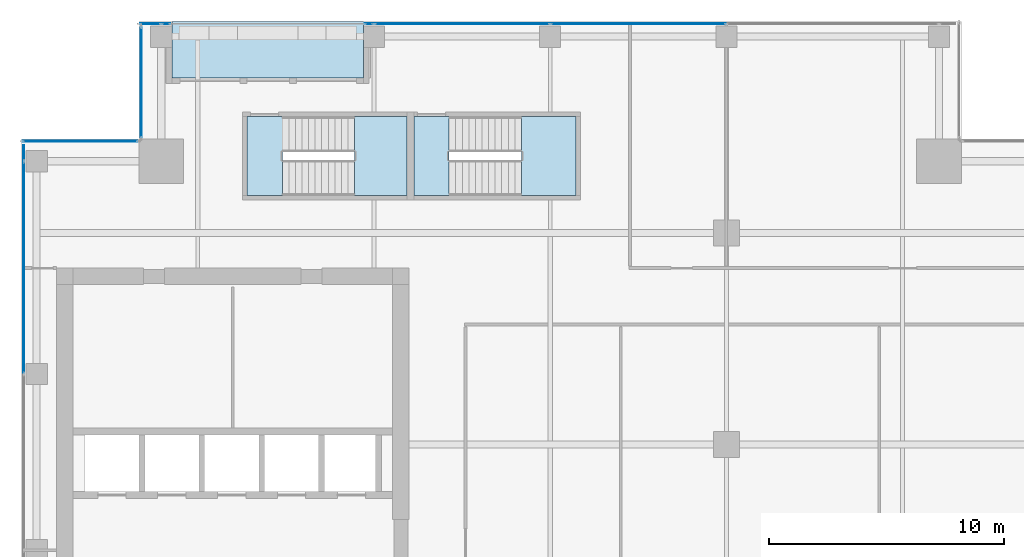
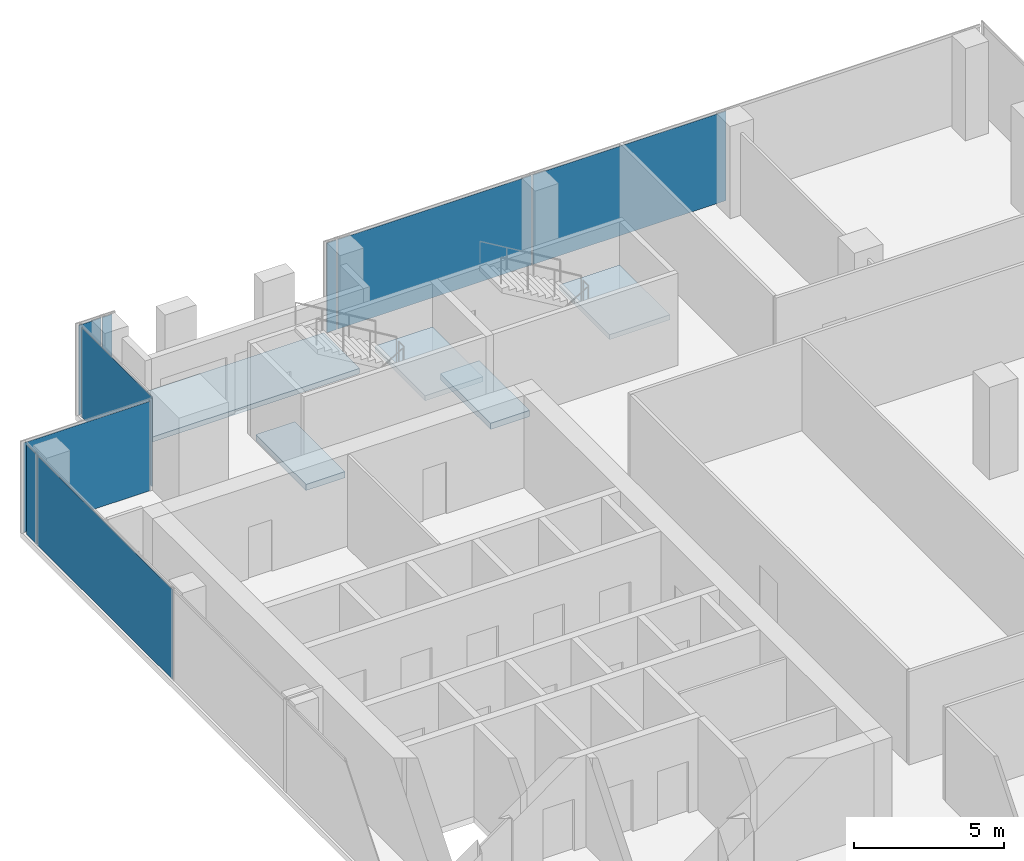
# One storey, part 29 of 36: 9 plates, 5 slabs, 7 elements without a shape of their own.
"""IFC4 building model written with IfcOpenShell, lengths in metres."""

from ifc_helpers import new_model, si_unit, direction, frame, origin, origin_2d, place, context, subcontext, project, spatial, polyline, rectangle, outline, extrude, source, transform, mapped, material, layer, layer_set, type_object, element, aggregate, save


model = new_model("IFC4")

# Units and contexts
model_context = context("Model", 3, precision=1e-05, world=origin(), true_north=direction((0.0, 1.0)))
body_context = subcontext(model_context, "Body", "Model", "MODEL_VIEW")
ifc_project = project(units=[si_unit("LENGTHUNIT", "METRE"), si_unit("AREAUNIT", "SQUARE_METRE"), si_unit("VOLUMEUNIT", "CUBIC_METRE"), si_unit("PLANEANGLEUNIT", "RADIAN"), si_unit("MASSUNIT", "GRAM", prefix="KILO")], contexts=[model_context])

# Site, building, storey
site_placement = place(None, origin())
site = spatial("IfcSite", under=ifc_project, at=site_placement, CompositionType="ELEMENT")
building_placement = place(site_placement, origin())
building = spatial("IfcBuilding", under=site, at=building_placement, Name="Khomas Fold Tower", CompositionType="ELEMENT")
storey_placement = place(building_placement, frame((0.0, 0.0, 226.199951171875)))
storey = spatial("IfcBuildingStorey", under=building, at=storey_placement, Name="L50", CompositionType="ELEMENT", Elevation=226.199951171875)

# Curtain wall, plate
ifc_material_1 = material(Name="Aluminium framed double glazing", Category="aluminium")
curtain_wall_type = type_object("IfcCurtainWallType", Name="SK-Unitised clear-glass wall, office floors CW2", PredefinedType="NOTDEFINED", material=ifc_material_1)
curtain_wall_1_placement = place(storey_placement, origin())
curtain_wall_1 = element("IfcCurtainWall", 1, at=curtain_wall_1_placement, inside=storey, type_object=curtain_wall_type, Name="CW2 run L50 09-0", PredefinedType="NOTDEFINED")
ifc_material_2 = material(Name="Clear double glazed unit")
ifc_layer_1 = layer(ifc_material_2, 0.030029296875)
ifc_layer_set_1 = layer_set([ifc_layer_1], Name="Clear double glazed unit")
plate_type = type_object("IfcPlateType", Name="SK-Unitised clear-glass wall, office floors glass panel CW2-P", PredefinedType="CURTAIN_PANEL", material=ifc_layer_set_1)
shared_shape_1 = source(origin(), body_context, "Body", "SweptSolid", [
    extrude(rectangle(XDim=0.659912109375, YDim=0.030029296875, at=origin_2d()), origin(), (0.0, 0.0, 1.0), 3.639892578125),
])
plate_1_placement = place(storey_placement, frame((4.60009765625, 43.909912109375, 0.0), z_axis=(0.0, 0.0, 1.0), x_axis=(0.0, -1.0, 0.0)))
plate_1 = element("IfcPlate", 2, at=plate_1_placement, type_object=plate_type, Name="CW2 glass panel 1", PredefinedType="CURTAIN_PANEL", context=body_context, shape_type="MappedRepresentation", body=[
    mapped(shared_shape_1, transform((0.0, 0.0, 0.0))),
])

# Curtain wall, plates
curtain_wall_2_placement = place(storey_placement, origin())
curtain_wall_2 = element("IfcCurtainWall", 3, at=curtain_wall_2_placement, inside=storey, type_object=curtain_wall_type, Name="CW2 run L50 06-0", PredefinedType="NOTDEFINED")
shared_shape_2 = source(origin(), body_context, "Body", "SweptSolid", [
    extrude(rectangle(XDim=7.43994140625, YDim=0.030029296875, at=origin_2d()), origin(), (0.0, 0.0, 1.0), 3.639892578125),
])
plate_2_placement = place(storey_placement, frame((30.75, 49.39990234375, 0.0), z_axis=(0.0, 0.0, 1.0), x_axis=(-1.0, 0.0, 0.0)))
plate_2 = element("IfcPlate", 4, at=plate_2_placement, type_object=plate_type, Name="CW2 glass panel 3", PredefinedType="CURTAIN_PANEL", context=body_context, shape_type="MappedRepresentation", body=[
    mapped(shared_shape_2, transform((0.0, 0.0, 0.0))),
])
plate_3_placement = place(storey_placement, frame((23.25, 49.39990234375, 0.0), z_axis=(0.0, 0.0, 1.0), x_axis=(-1.0, 0.0, 0.0)))
plate_3 = element("IfcPlate", 5, at=plate_3_placement, type_object=plate_type, Name="CW2 glass panel 4", PredefinedType="CURTAIN_PANEL", context=body_context, shape_type="MappedRepresentation", body=[
    mapped(shared_shape_2, transform((0.0, 0.0, 0.0))),
])

# Curtain wall, plate
curtain_wall_3_placement = place(storey_placement, origin())
curtain_wall_3 = element("IfcCurtainWall", 6, at=curtain_wall_3_placement, inside=storey, type_object=curtain_wall_type, Name="CW2 run L50 06-1", PredefinedType="NOTDEFINED")
shared_shape_3 = source(origin(), body_context, "Body", "SweptSolid", [
    extrude(rectangle(XDim=0.860107421875, YDim=0.030029296875, at=origin_2d()), origin(), (0.0, 0.0, 1.0), 3.639892578125),
])
plate_4_placement = place(storey_placement, frame((9.989990234375, 49.39990234375, 0.0), z_axis=(0.0, 0.0, 1.0), x_axis=(-1.0, 0.0, 0.0)))
plate_4 = element("IfcPlate", 7, at=plate_4_placement, type_object=plate_type, Name="CW2 glass panel 2", PredefinedType="CURTAIN_PANEL", context=body_context, shape_type="MappedRepresentation", body=[
    mapped(shared_shape_3, transform((0.0, 0.0, 0.0))),
])

# Plate
shared_shape_4 = source(origin(), body_context, "Body", "SweptSolid", [
    extrude(rectangle(XDim=8.989990234375, YDim=0.030029296875, at=origin_2d()), origin(), (0.0, 0.0, 1.0), 3.639892578125),
])
plate_5_placement = place(storey_placement, frame((4.60009765625, 39.02490234375, 0.0), z_axis=(0.0, 0.0, 1.0), x_axis=(0.0, -1.0, 0.0)))
plate_5 = element("IfcPlate", 8, at=plate_5_placement, type_object=plate_type, Name="CW2 glass panel 2", PredefinedType="CURTAIN_PANEL", context=body_context, shape_type="MappedRepresentation", body=[
    mapped(shared_shape_4, transform((0.0, 0.0, 0.0))),
])

aggregate(curtain_wall_1, [plate_1, plate_5])

# Curtain wall, plate
curtain_wall_4_placement = place(storey_placement, origin())
curtain_wall_4 = element("IfcCurtainWall", 9, at=curtain_wall_4_placement, inside=storey, type_object=curtain_wall_type, Name="CW2 corner return L50 07", PredefinedType="NOTDEFINED")
shared_shape_5 = source(origin(), body_context, "Body", "SweptSolid", [
    extrude(rectangle(XDim=4.679931640625, YDim=0.030029296875, at=origin_2d()), origin(), (0.0, 0.0, 1.0), 3.639892578125),
])
plate_6_placement = place(storey_placement, frame((9.60009765625, 46.89990234375, 0.0), z_axis=(0.0, 0.0, 1.0), x_axis=(0.0, -1.0, 0.0)))
plate_6 = element("IfcPlate", 10, at=plate_6_placement, type_object=plate_type, Name="CW2 glass panel 1", PredefinedType="CURTAIN_PANEL", context=body_context, shape_type="MappedRepresentation", body=[
    mapped(shared_shape_5, transform((0.0, 0.0, 0.0))),
])
aggregate(curtain_wall_4, [plate_6])

curtain_wall_5_placement = place(storey_placement, origin())
curtain_wall_5 = element("IfcCurtainWall", 11, at=curtain_wall_5_placement, inside=storey, type_object=curtain_wall_type, Name="CW2 corner return L50 08", PredefinedType="NOTDEFINED")
shared_shape_6 = source(origin(), body_context, "Body", "SweptSolid", [
    extrude(rectangle(XDim=4.8798828125, YDim=0.030029296875, at=origin_2d()), origin(), (0.0, 0.0, 1.0), 3.639892578125),
])
plate_7_placement = place(storey_placement, frame((7.0, 44.39990234375, 0.0), z_axis=(0.0, 0.0, 1.0), x_axis=(-1.0, 0.0, 0.0)))
plate_7 = element("IfcPlate", 12, at=plate_7_placement, type_object=plate_type, Name="CW2 glass panel 1", PredefinedType="CURTAIN_PANEL", context=body_context, shape_type="MappedRepresentation", body=[
    mapped(shared_shape_6, transform((0.0, 0.0, 0.0))),
])
aggregate(curtain_wall_5, [plate_7])

# Plate
shared_shape_7 = source(origin(), body_context, "Body", "SweptSolid", [
    extrude(rectangle(XDim=0.360107421875, YDim=0.030029296875, at=origin_2d()), origin(), (0.0, 0.0, 1.0), 3.639892578125),
])
plate_8_placement = place(storey_placement, frame((19.2900390625, 49.39990234375, 0.0), z_axis=(0.0, 0.0, 1.0), x_axis=(-1.0, 0.0, 0.0)))
plate_8 = element("IfcPlate", 13, at=plate_8_placement, type_object=plate_type, Name="CW2 glass panel 5", PredefinedType="CURTAIN_PANEL", context=body_context, shape_type="MappedRepresentation", body=[
    mapped(shared_shape_7, transform((0.0, 0.0, 0.0))),
])

aggregate(curtain_wall_2, [plate_2, plate_3, plate_8])

plate_9_placement = place(storey_placement, frame((10.659912109375, 49.39990234375, 0.0), z_axis=(0.0, 0.0, 1.0), x_axis=(-1.0, 0.0, 0.0)))
plate_9 = element("IfcPlate", 14, at=plate_9_placement, type_object=plate_type, Name="CW2 glass panel 1", PredefinedType="CURTAIN_PANEL", context=body_context, shape_type="MappedRepresentation", body=[
    mapped(shared_shape_7, transform((0.0, 0.0, 0.0))),
])

aggregate(curtain_wall_3, [plate_9, plate_4])

# Slab
ifc_material_3 = material(Name="Concrete C40/50", Category="concrete")
ifc_layer_2 = layer(ifc_material_3, 0.205078125)
ifc_layer_set_2 = layer_set([ifc_layer_2], Name="Concrete C40/50")
slab_type_1 = type_object("IfcSlabType", Name="BL-Balcony deck 205", PredefinedType="FLOOR", material=ifc_layer_set_2)
shared_shape_8 = source(origin(), body_context, "Body", "SweptSolid", [
    extrude(outline(polyline([(10.89990234375, 47.10009765625), (19.050048828125, 47.10009765625), (19.050048828125, 49.5), (10.89990234375, 49.5), (10.89990234375, 47.10009765625)])), origin(), (0.0, 0.0, 1.0), 0.205078125),
])
slab_1_placement = place(storey_placement, frame((0.0, 0.0, -0.25)))
element("IfcSlab", 15, at=slab_1_placement, inside=storey, type_object=slab_type_1, Name="Balcony deck BAL-L50-N1", PredefinedType="FLOOR", context=body_context, shape_type="MappedRepresentation", body=[
    mapped(shared_shape_8, transform((0.0, 0.0, 0.0))),
])

# Stair, slab
ifc_material_4 = material(Name="Concrete C40/50", Category="concrete")
stair_type_1 = type_object("IfcStairType", Name="Stair ST1", PredefinedType="HALF_TURN_STAIR", material=ifc_material_4)
stair_1_placement = place(storey_placement, origin())
stair_1 = element("IfcStair", 16, at=stair_1_placement, inside=storey, type_object=stair_type_1, Name="L50 ST1", PredefinedType="HALF_TURN_STAIR")
ifc_material_5 = material(Name="Concrete C40/50", Category="concrete")
ifc_layer_3 = layer(ifc_material_5, 0.199951171875)
ifc_layer_set_3 = layer_set([ifc_layer_3], Name="Concrete C40/50")
slab_type_2 = type_object("IfcSlabType", Name="Stair landing 200", PredefinedType="LANDING", material=ifc_layer_set_3)
shared_shape_9 = source(origin(), body_context, "Body", "SweptSolid", [
    extrude(outline(polyline([(18.679931640625, 42.10009765625), (20.89990234375, 42.10009765625), (20.89990234375, 45.449951171875), (18.679931640625, 45.449951171875), (18.679931640625, 42.10009765625)])), origin(), (0.0, 0.0, 1.0), 0.199951171875),
])
slab_2_placement = place(storey_placement, frame((0.0, 0.0, 1.800048828125)))
slab_2 = element("IfcSlab", 17, at=slab_2_placement, type_object=slab_type_2, Name="ST1 landing 1", PredefinedType="LANDING", context=body_context, shape_type="MappedRepresentation", body=[
    mapped(shared_shape_9, transform((0.0, 0.0, 0.0))),
])
aggregate(stair_1, [slab_2])

# Slab
ifc_material_6 = material(Name="Concrete C40/50", Category="concrete")
ifc_layer_4 = layer(ifc_material_6, 0.25)
ifc_layer_set_4 = layer_set([ifc_layer_4], Name="Concrete C40/50")
slab_type_3 = type_object("IfcSlabType", Name="Stair floor landing 250", PredefinedType="LANDING", material=ifc_layer_set_4)
shared_shape_10 = source(origin(), body_context, "Body", "SweptSolid", [
    extrude(outline(polyline([(15.60009765625, 42.10009765625), (14.10009765625, 42.10009765625), (14.10009765625, 45.449951171875), (15.60009765625, 45.449951171875), (15.60009765625, 42.10009765625)])), origin(), (0.0, 0.0, 1.0), 0.25),
])
slab_3_placement = place(storey_placement, frame((0.0, 0.0, -0.25)))
element("IfcSlab", 18, at=slab_3_placement, inside=storey, type_object=slab_type_3, Name="ST1 floor landing", PredefinedType="LANDING", context=body_context, shape_type="MappedRepresentation", body=[
    mapped(shared_shape_10, transform((0.0, 0.0, 0.0))),
])

# Stair, slab
ifc_material_7 = material(Name="Concrete C40/50", Category="concrete")
stair_type_2 = type_object("IfcStairType", Name="Stair ST3", PredefinedType="HALF_TURN_STAIR", material=ifc_material_7)
stair_2_placement = place(storey_placement, origin())
stair_2 = element("IfcStair", 19, at=stair_2_placement, inside=storey, type_object=stair_type_2, Name="L50 ST3", PredefinedType="HALF_TURN_STAIR")
shared_shape_11 = source(origin(), body_context, "Body", "SweptSolid", [
    extrude(outline(polyline([(25.780029296875, 42.10009765625), (28.10009765625, 42.10009765625), (28.10009765625, 45.449951171875), (25.780029296875, 45.449951171875), (25.780029296875, 42.10009765625)])), origin(), (0.0, 0.0, 1.0), 0.199951171875),
])
slab_4_placement = place(storey_placement, frame((0.0, 0.0, 1.800048828125)))
slab_4 = element("IfcSlab", 20, at=slab_4_placement, type_object=slab_type_2, Name="ST3 landing 1", PredefinedType="LANDING", context=body_context, shape_type="MappedRepresentation", body=[
    mapped(shared_shape_11, transform((0.0, 0.0, 0.0))),
])
aggregate(stair_2, [slab_4])

# Slab
shared_shape_12 = source(origin(), body_context, "Body", "SweptSolid", [
    extrude(outline(polyline([(22.699951171875, 42.10009765625), (21.199951171875, 42.10009765625), (21.199951171875, 45.449951171875), (22.699951171875, 45.449951171875), (22.699951171875, 42.10009765625)])), origin(), (0.0, 0.0, 1.0), 0.25),
])
slab_5_placement = place(storey_placement, frame((0.0, 0.0, -0.25)))
element("IfcSlab", 21, at=slab_5_placement, inside=storey, type_object=slab_type_3, Name="ST3 floor landing", PredefinedType="LANDING", context=body_context, shape_type="MappedRepresentation", body=[
    mapped(shared_shape_12, transform((0.0, 0.0, 0.0))),
])

save(model, "model.ifc")
